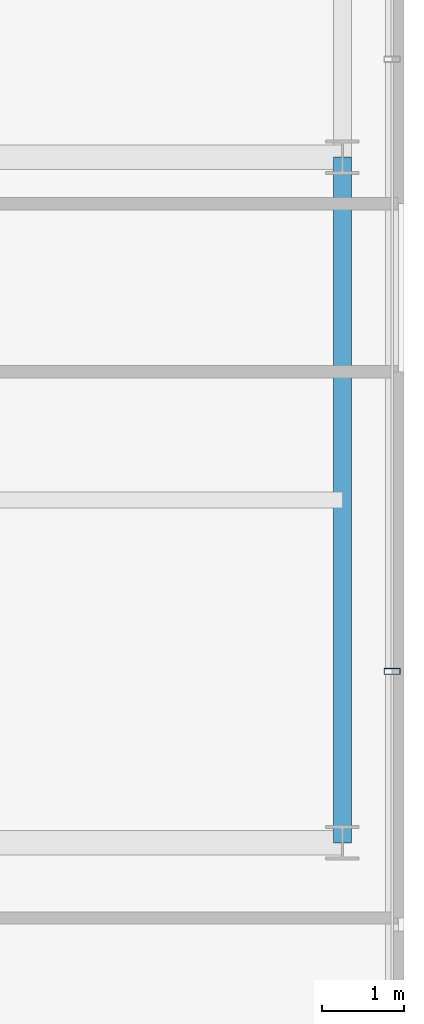
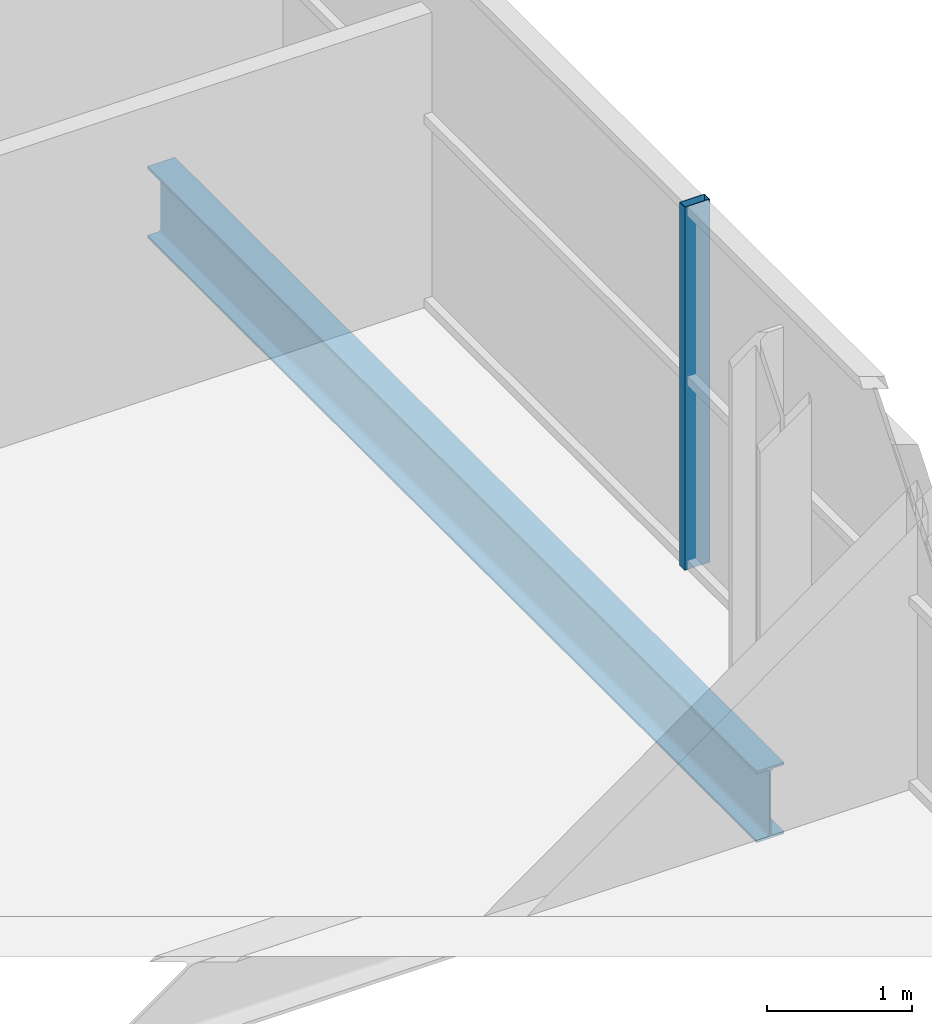
# One storey, part 13 of 30: 1 beam, 1 member, 1 element without a shape of its own.
"""IFC4 building model written with IfcOpenShell, lengths in metres."""

from ifc_helpers import new_model, si_unit, direction, frame, origin, origin_2d, place, context, subcontext, project, spatial, hollow_rectangle, i_section, extrude, source, transform, mapped, material, layer, layer_set, material_profile, profile_set, type_object, element, aggregate, save


model = new_model("IFC4")

# Units and contexts
model_context = context("Model", 3, precision=1e-05, world=origin(), true_north=direction((0.0, 1.0)))
body_context = subcontext(model_context, "Body", "Model", "MODEL_VIEW")
ifc_project = project(units=[si_unit("LENGTHUNIT", "METRE"), si_unit("AREAUNIT", "SQUARE_METRE"), si_unit("VOLUMEUNIT", "CUBIC_METRE"), si_unit("PLANEANGLEUNIT", "RADIAN"), si_unit("MASSUNIT", "GRAM", prefix="KILO")], contexts=[model_context])

# Site, building, storey
site_placement = place(None, origin())
site = spatial("IfcSite", under=ifc_project, at=site_placement, CompositionType="ELEMENT")
building_placement = place(site_placement, origin())
building = spatial("IfcBuilding", under=site, at=building_placement, Name="Zarnakvel Exchange Tower", CompositionType="ELEMENT")
storey_placement = place(building_placement, frame((0.0, 0.0, 34.0)))
storey = spatial("IfcBuildingStorey", under=building, at=storey_placement, Name="L08", CompositionType="ELEMENT", Elevation=34.0)

# Beam
ifc_material_1 = material(Name="Steel S355", Category="steel")
ifc_material_profile_1 = material_profile(ifc_material_1, i_section(OverallWidth=0.219970703125, OverallDepth=0.60009765625, WebThickness=0.011962890625, FlangeThickness=0.01904296875, FilletRadius=0.02392578125, at=origin_2d()))
ifc_profile_set_1 = profile_set([ifc_material_profile_1], Name="Steel S355")
beam_type = type_object("IfcBeamType", Name="SP-01", PredefinedType="SPANDREL", material=ifc_profile_set_1)
beam_placement = place(storey_placement, frame((27.85009765625, -9.60009765625, -0.52490234375), z_axis=(0.0, 1.0, 0.0), x_axis=(-1.0, 0.0, 0.0)))
element("IfcBeam", 1, at=beam_placement, inside=storey, type_object=beam_type, Name="L08 Tower N-S Frame Beam", PredefinedType="SPANDREL", context=body_context, shape_type="SweptSolid", body=[
    extrude(i_section(OverallWidth=0.219970703125, OverallDepth=0.60009765625, WebThickness=0.011962890625, FlangeThickness=0.01904296875, FilletRadius=0.02392578125, at=origin_2d()), origin(), (0.0, 0.0, 1.0), 8.400146484375),
])

# Curtain wall, member
ifc_material_2 = material(Name="Architectural Bronze Anodised Aluminium", Category="aluminium")
ifc_layer = layer(ifc_material_2, 0.199951171875)
ifc_layer_set = layer_set([ifc_layer], Name="Architectural Bronze Anodised Aluminium")
curtain_wall_type = type_object("IfcCurtainWallType", Name="CW-04", PredefinedType="NOTDEFINED", material=ifc_layer_set)
curtain_wall_placement = place(storey_placement, origin())
curtain_wall = element("IfcCurtainWall", 2, at=curtain_wall_placement, inside=storey, type_object=curtain_wall_type, Name="L08 Curtain Wall CW-L08-E1 (CW-04)", PredefinedType="NOTDEFINED")
ifc_material_profile_2 = material_profile(ifc_material_2, hollow_rectangle(XDim=0.199951171875, YDim=0.074951171875, WallThickness=0.0048828125, at=origin_2d()))
ifc_profile_set_2 = profile_set([ifc_material_profile_2], Name="Architectural Bronze Anodised Aluminium")
member_type = type_object("IfcMemberType", Name="CWM-04", PredefinedType="MULLION", material=ifc_profile_set_2)
shared_shape = source(origin(), body_context, "Body", "SweptSolid", [
    extrude(hollow_rectangle(XDim=0.199951171875, YDim=0.074951171875, WallThickness=0.0048828125, at=origin_2d()), origin(), (0.0, 0.0, 1.0), 3.054931640625),
])
member_placement = place(storey_placement, frame((28.4599609375, -7.5, 0.0), z_axis=(0.0, 0.0, 1.0), x_axis=(-1.0, 0.0, 0.0)))
member = element("IfcMember", 3, at=member_placement, type_object=member_type, Name="CW-04 mullion 2", PredefinedType="MULLION", context=body_context, shape_type="MappedRepresentation", body=[
    mapped(shared_shape, transform((0.0, 0.0, 0.0), x_axis=(1.0, 0.0, 0.0), y_axis=(0.0, 1.0, 0.0), z_axis=(0.0, 0.0, 1.0), scale=1.0)),
])
aggregate(curtain_wall, [member])

save(model, "model.ifc")
